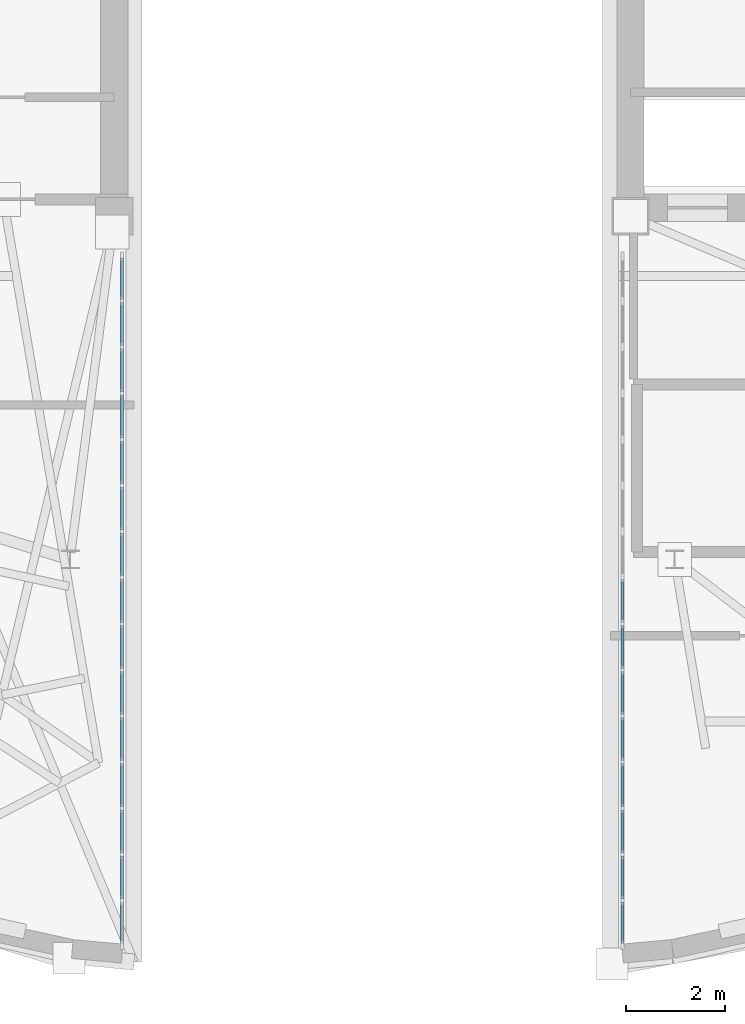
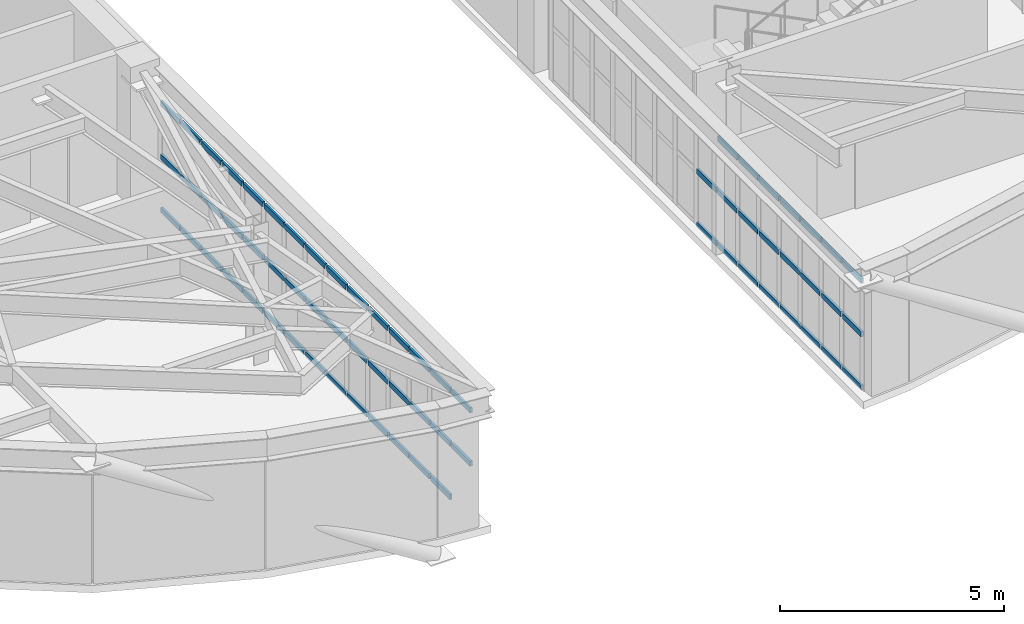
# One storey, part 6 of 13: 67 members, 2 elements without a shape of their own.
"""IFC4 building model written with IfcOpenShell, lengths in metres."""

from ifc_helpers import new_model, si_unit, direction, frame, origin, origin_2d, place, context, subcontext, project, spatial, rectangle, extrude, material, layer, layer_set, material_profile, profile_set, type_object, element, aggregate, save


model = new_model("IFC4")

# Units and contexts
model_context = context("Model", 3, precision=1e-05, world=origin(), true_north=direction((0.0, 1.0)))
body_context = subcontext(model_context, "Body", "Model", "MODEL_VIEW")
ifc_project = project(units=[si_unit("LENGTHUNIT", "METRE"), si_unit("AREAUNIT", "SQUARE_METRE"), si_unit("VOLUMEUNIT", "CUBIC_METRE"), si_unit("PLANEANGLEUNIT", "RADIAN"), si_unit("MASSUNIT", "GRAM", prefix="KILO")], contexts=[model_context])

# Site, building, storey
site_placement = place(None, origin())
site = spatial("IfcSite", under=ifc_project, at=site_placement, CompositionType="ELEMENT")
building_placement = place(site_placement, origin())
building = spatial("IfcBuilding", under=site, at=building_placement, Name="Keldmark Tower", CompositionType="ELEMENT")
storey_placement = place(building_placement, frame((0.0, 0.0, 273.0)))
storey = spatial("IfcBuildingStorey", under=building, at=storey_placement, Name="L77", CompositionType="ELEMENT", Elevation=273.0)

# Curtain wall, members
ifc_material_1 = material(Name="Unitized Thermally Broken Aluminum and Triple Low-E Glazing", Category="aluminium")
ifc_layer = layer(ifc_material_1, 0.219970703125)
ifc_layer_set = layer_set([ifc_layer], Name="Unitized Thermally Broken Aluminum and Triple Low-E Glazing")
curtain_wall_type = type_object("IfcCurtainWallType", Name="Split-Top Crown Lantern Curtain Wall System", PredefinedType="NOTDEFINED", material=ifc_layer_set)
curtain_wall_1_placement = place(storey_placement, origin())
curtain_wall_1 = element("IfcCurtainWall", 1, at=curtain_wall_1_placement, inside=storey, type_object=curtain_wall_type, Name="L77 Split-Top Crown Lantern Curtain Wall System CW-L77-ES14-1", PredefinedType="NOTDEFINED")
ifc_material_2 = material(Name="Extruded Aluminum Alloy 6063-T6", Category="aluminium")
ifc_material_profile = material_profile(ifc_material_2, rectangle(XDim=0.06005859375, YDim=0.139892578125, at=origin_2d()), Name="CWT60X140")
ifc_profile_set = profile_set([ifc_material_profile], Name="Extruded Aluminum Alloy 6063-T6")
member_type = type_object("IfcMemberType", Name="Curtain Wall Horizontal Transom 60x140", PredefinedType="USERDEFINED", material=ifc_profile_set)
member_1_placement = place(storey_placement, frame((5.0400390625, -5.910888671875, 0.030029296875), z_axis=(0.0, -1.0, 0.0), x_axis=(1.0, 0.0, 0.0)))
member_1 = element("IfcMember", 2, at=member_1_placement, type_object=member_type, Name="CW transom 8.1", ObjectType="TRANSOM", PredefinedType="USERDEFINED", context=body_context, shape_type="SweptSolid", body=[
    extrude(rectangle(XDim=0.06005859375, YDim=0.139892578125, at=origin_2d()), origin(), (0.0, 0.0, 1.0), 0.868896484375),
])
member_2_placement = place(storey_placement, frame((5.0400390625, -5.910888671875, 1.48291015625), z_axis=(0.0, -1.0, 0.0), x_axis=(1.0, 0.0, 0.0)))
member_2 = element("IfcMember", 3, at=member_2_placement, type_object=member_type, Name="CW transom 8.2", ObjectType="TRANSOM", PredefinedType="USERDEFINED", context=body_context, shape_type="SweptSolid", body=[
    extrude(rectangle(XDim=0.06005859375, YDim=0.139892578125, at=origin_2d()), origin(), (0.0, 0.0, 1.0), 0.868896484375),
])
member_3_placement = place(storey_placement, frame((5.0400390625, -6.839599609375, 0.030029296875), z_axis=(0.0, -1.0, 0.0), x_axis=(1.0, 0.0, 0.0)))
member_3 = element("IfcMember", 4, at=member_3_placement, type_object=member_type, Name="CW transom 9.1", ObjectType="TRANSOM", PredefinedType="USERDEFINED", context=body_context, shape_type="SweptSolid", body=[
    extrude(rectangle(XDim=0.06005859375, YDim=0.139892578125, at=origin_2d()), origin(), (0.0, 0.0, 1.0), 0.868896484375),
])
member_4_placement = place(storey_placement, frame((5.0400390625, -6.839599609375, 1.48291015625), z_axis=(0.0, -1.0, 0.0), x_axis=(1.0, 0.0, 0.0)))
member_4 = element("IfcMember", 5, at=member_4_placement, type_object=member_type, Name="CW transom 9.2", ObjectType="TRANSOM", PredefinedType="USERDEFINED", context=body_context, shape_type="SweptSolid", body=[
    extrude(rectangle(XDim=0.06005859375, YDim=0.139892578125, at=origin_2d()), origin(), (0.0, 0.0, 1.0), 0.868896484375),
])
member_5_placement = place(storey_placement, frame((5.0400390625, -6.839599609375, 2.93603515625), z_axis=(0.0, -1.0, 0.0), x_axis=(1.0, 0.0, 0.0)))
member_5 = element("IfcMember", 6, at=member_5_placement, type_object=member_type, Name="CW transom 9.3", ObjectType="TRANSOM", PredefinedType="USERDEFINED", context=body_context, shape_type="SweptSolid", body=[
    extrude(rectangle(XDim=0.06005859375, YDim=0.139892578125, at=origin_2d()), origin(), (0.0, 0.0, 1.0), 0.868896484375),
])
member_6_placement = place(storey_placement, frame((5.0400390625, -7.7685546875, 0.030029296875), z_axis=(0.0, -1.0, 0.0), x_axis=(1.0, 0.0, 0.0)))
member_6 = element("IfcMember", 7, at=member_6_placement, type_object=member_type, Name="CW transom 10.1", ObjectType="TRANSOM", PredefinedType="USERDEFINED", context=body_context, shape_type="SweptSolid", body=[
    extrude(rectangle(XDim=0.06005859375, YDim=0.139892578125, at=origin_2d()), origin(), (0.0, 0.0, 1.0), 0.868896484375),
])
member_7_placement = place(storey_placement, frame((5.0400390625, -7.7685546875, 1.48291015625), z_axis=(0.0, -1.0, 0.0), x_axis=(1.0, 0.0, 0.0)))
member_7 = element("IfcMember", 8, at=member_7_placement, type_object=member_type, Name="CW transom 10.2", ObjectType="TRANSOM", PredefinedType="USERDEFINED", context=body_context, shape_type="SweptSolid", body=[
    extrude(rectangle(XDim=0.06005859375, YDim=0.139892578125, at=origin_2d()), origin(), (0.0, 0.0, 1.0), 0.868896484375),
])
member_8_placement = place(storey_placement, frame((5.0400390625, -7.7685546875, 2.93603515625), z_axis=(0.0, -1.0, 0.0), x_axis=(1.0, 0.0, 0.0)))
member_8 = element("IfcMember", 9, at=member_8_placement, type_object=member_type, Name="CW transom 10.3", ObjectType="TRANSOM", PredefinedType="USERDEFINED", context=body_context, shape_type="SweptSolid", body=[
    extrude(rectangle(XDim=0.06005859375, YDim=0.139892578125, at=origin_2d()), origin(), (0.0, 0.0, 1.0), 0.868896484375),
])
member_9_placement = place(storey_placement, frame((5.0400390625, -8.697509765625, 0.030029296875), z_axis=(0.0, -1.0, 0.0), x_axis=(1.0, 0.0, 0.0)))
member_9 = element("IfcMember", 10, at=member_9_placement, type_object=member_type, Name="CW transom 11.1", ObjectType="TRANSOM", PredefinedType="USERDEFINED", context=body_context, shape_type="SweptSolid", body=[
    extrude(rectangle(XDim=0.06005859375, YDim=0.139892578125, at=origin_2d()), origin(), (0.0, 0.0, 1.0), 0.868896484375),
])
member_10_placement = place(storey_placement, frame((5.0400390625, -8.697509765625, 1.48291015625), z_axis=(0.0, -1.0, 0.0), x_axis=(1.0, 0.0, 0.0)))
member_10 = element("IfcMember", 11, at=member_10_placement, type_object=member_type, Name="CW transom 11.2", ObjectType="TRANSOM", PredefinedType="USERDEFINED", context=body_context, shape_type="SweptSolid", body=[
    extrude(rectangle(XDim=0.06005859375, YDim=0.139892578125, at=origin_2d()), origin(), (0.0, 0.0, 1.0), 0.868896484375),
])
member_11_placement = place(storey_placement, frame((5.0400390625, -8.697509765625, 2.93603515625), z_axis=(0.0, -1.0, 0.0), x_axis=(1.0, 0.0, 0.0)))
member_11 = element("IfcMember", 12, at=member_11_placement, type_object=member_type, Name="CW transom 11.3", ObjectType="TRANSOM", PredefinedType="USERDEFINED", context=body_context, shape_type="SweptSolid", body=[
    extrude(rectangle(XDim=0.06005859375, YDim=0.139892578125, at=origin_2d()), origin(), (0.0, 0.0, 1.0), 0.868896484375),
])
member_12_placement = place(storey_placement, frame((5.0400390625, -9.62646484375, 0.030029296875), z_axis=(0.0, -1.0, 0.0), x_axis=(1.0, 0.0, 0.0)))
member_12 = element("IfcMember", 13, at=member_12_placement, type_object=member_type, Name="CW transom 12.1", ObjectType="TRANSOM", PredefinedType="USERDEFINED", context=body_context, shape_type="SweptSolid", body=[
    extrude(rectangle(XDim=0.06005859375, YDim=0.139892578125, at=origin_2d()), origin(), (0.0, 0.0, 1.0), 0.868896484375),
])
member_13_placement = place(storey_placement, frame((5.0400390625, -9.62646484375, 1.48291015625), z_axis=(0.0, -1.0, 0.0), x_axis=(1.0, 0.0, 0.0)))
member_13 = element("IfcMember", 14, at=member_13_placement, type_object=member_type, Name="CW transom 12.2", ObjectType="TRANSOM", PredefinedType="USERDEFINED", context=body_context, shape_type="SweptSolid", body=[
    extrude(rectangle(XDim=0.06005859375, YDim=0.139892578125, at=origin_2d()), origin(), (0.0, 0.0, 1.0), 0.868896484375),
])
member_14_placement = place(storey_placement, frame((5.0400390625, -9.62646484375, 2.93603515625), z_axis=(0.0, -1.0, 0.0), x_axis=(1.0, 0.0, 0.0)))
member_14 = element("IfcMember", 15, at=member_14_placement, type_object=member_type, Name="CW transom 12.3", ObjectType="TRANSOM", PredefinedType="USERDEFINED", context=body_context, shape_type="SweptSolid", body=[
    extrude(rectangle(XDim=0.06005859375, YDim=0.139892578125, at=origin_2d()), origin(), (0.0, 0.0, 1.0), 0.868896484375),
])
member_15_placement = place(storey_placement, frame((5.0400390625, -10.555419921875, 0.030029296875), z_axis=(0.0, -1.0, 0.0), x_axis=(1.0, 0.0, 0.0)))
member_15 = element("IfcMember", 16, at=member_15_placement, type_object=member_type, Name="CW transom 13.1", ObjectType="TRANSOM", PredefinedType="USERDEFINED", context=body_context, shape_type="SweptSolid", body=[
    extrude(rectangle(XDim=0.06005859375, YDim=0.139892578125, at=origin_2d()), origin(), (0.0, 0.0, 1.0), 0.868896484375),
])
member_16_placement = place(storey_placement, frame((5.0400390625, -10.555419921875, 1.48291015625), z_axis=(0.0, -1.0, 0.0), x_axis=(1.0, 0.0, 0.0)))
member_16 = element("IfcMember", 17, at=member_16_placement, type_object=member_type, Name="CW transom 13.2", ObjectType="TRANSOM", PredefinedType="USERDEFINED", context=body_context, shape_type="SweptSolid", body=[
    extrude(rectangle(XDim=0.06005859375, YDim=0.139892578125, at=origin_2d()), origin(), (0.0, 0.0, 1.0), 0.868896484375),
])
member_17_placement = place(storey_placement, frame((5.0400390625, -10.555419921875, 2.93603515625), z_axis=(0.0, -1.0, 0.0), x_axis=(1.0, 0.0, 0.0)))
member_17 = element("IfcMember", 18, at=member_17_placement, type_object=member_type, Name="CW transom 13.3", ObjectType="TRANSOM", PredefinedType="USERDEFINED", context=body_context, shape_type="SweptSolid", body=[
    extrude(rectangle(XDim=0.06005859375, YDim=0.139892578125, at=origin_2d()), origin(), (0.0, 0.0, 1.0), 0.868896484375),
])
member_18_placement = place(storey_placement, frame((5.0400390625, -11.484130859375, 0.030029296875), z_axis=(0.0, -1.0, 0.0), x_axis=(1.0, 0.0, 0.0)))
member_18 = element("IfcMember", 19, at=member_18_placement, type_object=member_type, Name="CW transom 14.1", ObjectType="TRANSOM", PredefinedType="USERDEFINED", context=body_context, shape_type="SweptSolid", body=[
    extrude(rectangle(XDim=0.06005859375, YDim=0.139892578125, at=origin_2d()), origin(), (0.0, 0.0, 1.0), 0.868896484375),
])
member_19_placement = place(storey_placement, frame((5.0400390625, -11.484130859375, 1.48291015625), z_axis=(0.0, -1.0, 0.0), x_axis=(1.0, 0.0, 0.0)))
member_19 = element("IfcMember", 20, at=member_19_placement, type_object=member_type, Name="CW transom 14.2", ObjectType="TRANSOM", PredefinedType="USERDEFINED", context=body_context, shape_type="SweptSolid", body=[
    extrude(rectangle(XDim=0.06005859375, YDim=0.139892578125, at=origin_2d()), origin(), (0.0, 0.0, 1.0), 0.868896484375),
])
member_20_placement = place(storey_placement, frame((5.0400390625, -11.484130859375, 2.93603515625), z_axis=(0.0, -1.0, 0.0), x_axis=(1.0, 0.0, 0.0)))
member_20 = element("IfcMember", 21, at=member_20_placement, type_object=member_type, Name="CW transom 14.3", ObjectType="TRANSOM", PredefinedType="USERDEFINED", context=body_context, shape_type="SweptSolid", body=[
    extrude(rectangle(XDim=0.06005859375, YDim=0.139892578125, at=origin_2d()), origin(), (0.0, 0.0, 1.0), 0.868896484375),
])
member_21_placement = place(storey_placement, frame((5.0400390625, -12.4130859375, 0.030029296875), z_axis=(0.0, -1.0, 0.0), x_axis=(1.0, 0.0, 0.0)))
member_21 = element("IfcMember", 22, at=member_21_placement, type_object=member_type, Name="CW transom 15.1", ObjectType="TRANSOM", PredefinedType="USERDEFINED", context=body_context, shape_type="SweptSolid", body=[
    extrude(rectangle(XDim=0.06005859375, YDim=0.139892578125, at=origin_2d()), origin(), (0.0, 0.0, 1.0), 0.8388671875),
])
member_22_placement = place(storey_placement, frame((5.0400390625, -12.4130859375, 1.48291015625), z_axis=(0.0, -1.0, 0.0), x_axis=(1.0, 0.0, 0.0)))
member_22 = element("IfcMember", 23, at=member_22_placement, type_object=member_type, Name="CW transom 15.2", ObjectType="TRANSOM", PredefinedType="USERDEFINED", context=body_context, shape_type="SweptSolid", body=[
    extrude(rectangle(XDim=0.06005859375, YDim=0.139892578125, at=origin_2d()), origin(), (0.0, 0.0, 1.0), 0.8388671875),
])
member_23_placement = place(storey_placement, frame((5.0400390625, -12.4130859375, 2.93603515625), z_axis=(0.0, -1.0, 0.0), x_axis=(1.0, 0.0, 0.0)))
member_23 = element("IfcMember", 24, at=member_23_placement, type_object=member_type, Name="CW transom 15.3", ObjectType="TRANSOM", PredefinedType="USERDEFINED", context=body_context, shape_type="SweptSolid", body=[
    extrude(rectangle(XDim=0.06005859375, YDim=0.139892578125, at=origin_2d()), origin(), (0.0, 0.0, 1.0), 0.8388671875),
])
aggregate(curtain_wall_1, [member_1, member_2, member_3, member_4, member_5, member_6, member_7, member_8, member_9, member_10, member_11, member_12, member_13, member_14, member_15, member_16, member_17, member_18, member_19, member_20, member_21, member_22, member_23])

curtain_wall_2_placement = place(storey_placement, origin())
curtain_wall_2 = element("IfcCurtainWall", 25, at=curtain_wall_2_placement, inside=storey, type_object=curtain_wall_type, Name="L77 Split-Top Crown Lantern Curtain Wall System CW-L77-WS14-0", PredefinedType="NOTDEFINED")
member_24_placement = place(storey_placement, frame((-5.0400390625, -13.251953125, 1.48291015625), z_axis=(0.0, 1.0, 0.0), x_axis=(-1.0, 0.0, 0.0)))
member_24 = element("IfcMember", 26, at=member_24_placement, type_object=member_type, Name="CW transom 1.2", ObjectType="TRANSOM", PredefinedType="USERDEFINED", context=body_context, shape_type="SweptSolid", body=[
    extrude(rectangle(XDim=0.06005859375, YDim=0.139892578125, at=origin_2d()), origin(), (0.0, 0.0, 1.0), 0.8388671875),
])
member_25_placement = place(storey_placement, frame((-5.0400390625, -13.251953125, 2.93603515625), z_axis=(0.0, 1.0, 0.0), x_axis=(-1.0, 0.0, 0.0)))
member_25 = element("IfcMember", 27, at=member_25_placement, type_object=member_type, Name="CW transom 1.3", ObjectType="TRANSOM", PredefinedType="USERDEFINED", context=body_context, shape_type="SweptSolid", body=[
    extrude(rectangle(XDim=0.06005859375, YDim=0.139892578125, at=origin_2d()), origin(), (0.0, 0.0, 1.0), 0.8388671875),
])
member_26_placement = place(storey_placement, frame((-5.0400390625, -12.35302734375, 0.030029296875), z_axis=(0.0, 1.0, 0.0), x_axis=(-1.0, 0.0, 0.0)))
member_26 = element("IfcMember", 28, at=member_26_placement, type_object=member_type, Name="CW transom 2.1", ObjectType="TRANSOM", PredefinedType="USERDEFINED", context=body_context, shape_type="SweptSolid", body=[
    extrude(rectangle(XDim=0.06005859375, YDim=0.139892578125, at=origin_2d()), origin(), (0.0, 0.0, 1.0), 0.868896484375),
])
member_27_placement = place(storey_placement, frame((-5.0400390625, -12.35302734375, 1.48291015625), z_axis=(0.0, 1.0, 0.0), x_axis=(-1.0, 0.0, 0.0)))
member_27 = element("IfcMember", 29, at=member_27_placement, type_object=member_type, Name="CW transom 2.2", ObjectType="TRANSOM", PredefinedType="USERDEFINED", context=body_context, shape_type="SweptSolid", body=[
    extrude(rectangle(XDim=0.06005859375, YDim=0.139892578125, at=origin_2d()), origin(), (0.0, 0.0, 1.0), 0.868896484375),
])
member_28_placement = place(storey_placement, frame((-5.0400390625, -12.35302734375, 2.93603515625), z_axis=(0.0, 1.0, 0.0), x_axis=(-1.0, 0.0, 0.0)))
member_28 = element("IfcMember", 30, at=member_28_placement, type_object=member_type, Name="CW transom 2.3", ObjectType="TRANSOM", PredefinedType="USERDEFINED", context=body_context, shape_type="SweptSolid", body=[
    extrude(rectangle(XDim=0.06005859375, YDim=0.139892578125, at=origin_2d()), origin(), (0.0, 0.0, 1.0), 0.868896484375),
])
member_29_placement = place(storey_placement, frame((-5.0400390625, -11.42431640625, 0.030029296875), z_axis=(0.0, 1.0, 0.0), x_axis=(-1.0, 0.0, 0.0)))
member_29 = element("IfcMember", 31, at=member_29_placement, type_object=member_type, Name="CW transom 3.1", ObjectType="TRANSOM", PredefinedType="USERDEFINED", context=body_context, shape_type="SweptSolid", body=[
    extrude(rectangle(XDim=0.06005859375, YDim=0.139892578125, at=origin_2d()), origin(), (0.0, 0.0, 1.0), 0.868896484375),
])
member_30_placement = place(storey_placement, frame((-5.0400390625, -11.42431640625, 1.48291015625), z_axis=(0.0, 1.0, 0.0), x_axis=(-1.0, 0.0, 0.0)))
member_30 = element("IfcMember", 32, at=member_30_placement, type_object=member_type, Name="CW transom 3.2", ObjectType="TRANSOM", PredefinedType="USERDEFINED", context=body_context, shape_type="SweptSolid", body=[
    extrude(rectangle(XDim=0.06005859375, YDim=0.139892578125, at=origin_2d()), origin(), (0.0, 0.0, 1.0), 0.868896484375),
])
member_31_placement = place(storey_placement, frame((-5.0400390625, -11.42431640625, 2.93603515625), z_axis=(0.0, 1.0, 0.0), x_axis=(-1.0, 0.0, 0.0)))
member_31 = element("IfcMember", 33, at=member_31_placement, type_object=member_type, Name="CW transom 3.3", ObjectType="TRANSOM", PredefinedType="USERDEFINED", context=body_context, shape_type="SweptSolid", body=[
    extrude(rectangle(XDim=0.06005859375, YDim=0.139892578125, at=origin_2d()), origin(), (0.0, 0.0, 1.0), 0.868896484375),
])
member_32_placement = place(storey_placement, frame((-5.0400390625, -10.495361328125, 0.030029296875), z_axis=(0.0, 1.0, 0.0), x_axis=(-1.0, 0.0, 0.0)))
member_32 = element("IfcMember", 34, at=member_32_placement, type_object=member_type, Name="CW transom 4.1", ObjectType="TRANSOM", PredefinedType="USERDEFINED", context=body_context, shape_type="SweptSolid", body=[
    extrude(rectangle(XDim=0.06005859375, YDim=0.139892578125, at=origin_2d()), origin(), (0.0, 0.0, 1.0), 0.868896484375),
])
member_33_placement = place(storey_placement, frame((-5.0400390625, -10.495361328125, 1.48291015625), z_axis=(0.0, 1.0, 0.0), x_axis=(-1.0, 0.0, 0.0)))
member_33 = element("IfcMember", 35, at=member_33_placement, type_object=member_type, Name="CW transom 4.2", ObjectType="TRANSOM", PredefinedType="USERDEFINED", context=body_context, shape_type="SweptSolid", body=[
    extrude(rectangle(XDim=0.06005859375, YDim=0.139892578125, at=origin_2d()), origin(), (0.0, 0.0, 1.0), 0.868896484375),
])
member_34_placement = place(storey_placement, frame((-5.0400390625, -10.495361328125, 2.93603515625), z_axis=(0.0, 1.0, 0.0), x_axis=(-1.0, 0.0, 0.0)))
member_34 = element("IfcMember", 36, at=member_34_placement, type_object=member_type, Name="CW transom 4.3", ObjectType="TRANSOM", PredefinedType="USERDEFINED", context=body_context, shape_type="SweptSolid", body=[
    extrude(rectangle(XDim=0.06005859375, YDim=0.139892578125, at=origin_2d()), origin(), (0.0, 0.0, 1.0), 0.868896484375),
])
member_35_placement = place(storey_placement, frame((-5.0400390625, -9.56640625, 0.030029296875), z_axis=(0.0, 1.0, 0.0), x_axis=(-1.0, 0.0, 0.0)))
member_35 = element("IfcMember", 37, at=member_35_placement, type_object=member_type, Name="CW transom 5.1", ObjectType="TRANSOM", PredefinedType="USERDEFINED", context=body_context, shape_type="SweptSolid", body=[
    extrude(rectangle(XDim=0.06005859375, YDim=0.139892578125, at=origin_2d()), origin(), (0.0, 0.0, 1.0), 0.868896484375),
])
member_36_placement = place(storey_placement, frame((-5.0400390625, -9.56640625, 1.48291015625), z_axis=(0.0, 1.0, 0.0), x_axis=(-1.0, 0.0, 0.0)))
member_36 = element("IfcMember", 38, at=member_36_placement, type_object=member_type, Name="CW transom 5.2", ObjectType="TRANSOM", PredefinedType="USERDEFINED", context=body_context, shape_type="SweptSolid", body=[
    extrude(rectangle(XDim=0.06005859375, YDim=0.139892578125, at=origin_2d()), origin(), (0.0, 0.0, 1.0), 0.868896484375),
])
member_37_placement = place(storey_placement, frame((-5.0400390625, -9.56640625, 2.93603515625), z_axis=(0.0, 1.0, 0.0), x_axis=(-1.0, 0.0, 0.0)))
member_37 = element("IfcMember", 39, at=member_37_placement, type_object=member_type, Name="CW transom 5.3", ObjectType="TRANSOM", PredefinedType="USERDEFINED", context=body_context, shape_type="SweptSolid", body=[
    extrude(rectangle(XDim=0.06005859375, YDim=0.139892578125, at=origin_2d()), origin(), (0.0, 0.0, 1.0), 0.868896484375),
])
member_38_placement = place(storey_placement, frame((-5.0400390625, -8.637451171875, 0.030029296875), z_axis=(0.0, 1.0, 0.0), x_axis=(-1.0, 0.0, 0.0)))
member_38 = element("IfcMember", 40, at=member_38_placement, type_object=member_type, Name="CW transom 6.1", ObjectType="TRANSOM", PredefinedType="USERDEFINED", context=body_context, shape_type="SweptSolid", body=[
    extrude(rectangle(XDim=0.06005859375, YDim=0.139892578125, at=origin_2d()), origin(), (0.0, 0.0, 1.0), 0.868896484375),
])
member_39_placement = place(storey_placement, frame((-5.0400390625, -8.637451171875, 1.48291015625), z_axis=(0.0, 1.0, 0.0), x_axis=(-1.0, 0.0, 0.0)))
member_39 = element("IfcMember", 41, at=member_39_placement, type_object=member_type, Name="CW transom 6.2", ObjectType="TRANSOM", PredefinedType="USERDEFINED", context=body_context, shape_type="SweptSolid", body=[
    extrude(rectangle(XDim=0.06005859375, YDim=0.139892578125, at=origin_2d()), origin(), (0.0, 0.0, 1.0), 0.868896484375),
])
member_40_placement = place(storey_placement, frame((-5.0400390625, -8.637451171875, 2.93603515625), z_axis=(0.0, 1.0, 0.0), x_axis=(-1.0, 0.0, 0.0)))
member_40 = element("IfcMember", 42, at=member_40_placement, type_object=member_type, Name="CW transom 6.3", ObjectType="TRANSOM", PredefinedType="USERDEFINED", context=body_context, shape_type="SweptSolid", body=[
    extrude(rectangle(XDim=0.06005859375, YDim=0.139892578125, at=origin_2d()), origin(), (0.0, 0.0, 1.0), 0.868896484375),
])
member_41_placement = place(storey_placement, frame((-5.0400390625, -7.70849609375, 0.030029296875), z_axis=(0.0, 1.0, 0.0), x_axis=(-1.0, 0.0, 0.0)))
member_41 = element("IfcMember", 43, at=member_41_placement, type_object=member_type, Name="CW transom 7.1", ObjectType="TRANSOM", PredefinedType="USERDEFINED", context=body_context, shape_type="SweptSolid", body=[
    extrude(rectangle(XDim=0.06005859375, YDim=0.139892578125, at=origin_2d()), origin(), (0.0, 0.0, 1.0), 0.868896484375),
])
member_42_placement = place(storey_placement, frame((-5.0400390625, -7.70849609375, 1.48291015625), z_axis=(0.0, 1.0, 0.0), x_axis=(-1.0, 0.0, 0.0)))
member_42 = element("IfcMember", 44, at=member_42_placement, type_object=member_type, Name="CW transom 7.2", ObjectType="TRANSOM", PredefinedType="USERDEFINED", context=body_context, shape_type="SweptSolid", body=[
    extrude(rectangle(XDim=0.06005859375, YDim=0.139892578125, at=origin_2d()), origin(), (0.0, 0.0, 1.0), 0.868896484375),
])
member_43_placement = place(storey_placement, frame((-5.0400390625, -7.70849609375, 2.93603515625), z_axis=(0.0, 1.0, 0.0), x_axis=(-1.0, 0.0, 0.0)))
member_43 = element("IfcMember", 45, at=member_43_placement, type_object=member_type, Name="CW transom 7.3", ObjectType="TRANSOM", PredefinedType="USERDEFINED", context=body_context, shape_type="SweptSolid", body=[
    extrude(rectangle(XDim=0.06005859375, YDim=0.139892578125, at=origin_2d()), origin(), (0.0, 0.0, 1.0), 0.868896484375),
])
member_44_placement = place(storey_placement, frame((-5.0400390625, -6.77978515625, 0.030029296875), z_axis=(0.0, 1.0, 0.0), x_axis=(-1.0, 0.0, 0.0)))
member_44 = element("IfcMember", 46, at=member_44_placement, type_object=member_type, Name="CW transom 8.1", ObjectType="TRANSOM", PredefinedType="USERDEFINED", context=body_context, shape_type="SweptSolid", body=[
    extrude(rectangle(XDim=0.06005859375, YDim=0.139892578125, at=origin_2d()), origin(), (0.0, 0.0, 1.0), 0.868896484375),
])
member_45_placement = place(storey_placement, frame((-5.0400390625, -6.77978515625, 1.48291015625), z_axis=(0.0, 1.0, 0.0), x_axis=(-1.0, 0.0, 0.0)))
member_45 = element("IfcMember", 47, at=member_45_placement, type_object=member_type, Name="CW transom 8.2", ObjectType="TRANSOM", PredefinedType="USERDEFINED", context=body_context, shape_type="SweptSolid", body=[
    extrude(rectangle(XDim=0.06005859375, YDim=0.139892578125, at=origin_2d()), origin(), (0.0, 0.0, 1.0), 0.868896484375),
])
member_46_placement = place(storey_placement, frame((-5.0400390625, -6.77978515625, 2.93603515625), z_axis=(0.0, 1.0, 0.0), x_axis=(-1.0, 0.0, 0.0)))
member_46 = element("IfcMember", 48, at=member_46_placement, type_object=member_type, Name="CW transom 8.3", ObjectType="TRANSOM", PredefinedType="USERDEFINED", context=body_context, shape_type="SweptSolid", body=[
    extrude(rectangle(XDim=0.06005859375, YDim=0.139892578125, at=origin_2d()), origin(), (0.0, 0.0, 1.0), 0.868896484375),
])
member_47_placement = place(storey_placement, frame((-5.0400390625, -5.850830078125, 0.030029296875), z_axis=(0.0, 1.0, 0.0), x_axis=(-1.0, 0.0, 0.0)))
member_47 = element("IfcMember", 49, at=member_47_placement, type_object=member_type, Name="CW transom 9.1", ObjectType="TRANSOM", PredefinedType="USERDEFINED", context=body_context, shape_type="SweptSolid", body=[
    extrude(rectangle(XDim=0.06005859375, YDim=0.139892578125, at=origin_2d()), origin(), (0.0, 0.0, 1.0), 0.868896484375),
])
member_48_placement = place(storey_placement, frame((-5.0400390625, -5.850830078125, 1.48291015625), z_axis=(0.0, 1.0, 0.0), x_axis=(-1.0, 0.0, 0.0)))
member_48 = element("IfcMember", 50, at=member_48_placement, type_object=member_type, Name="CW transom 9.2", ObjectType="TRANSOM", PredefinedType="USERDEFINED", context=body_context, shape_type="SweptSolid", body=[
    extrude(rectangle(XDim=0.06005859375, YDim=0.139892578125, at=origin_2d()), origin(), (0.0, 0.0, 1.0), 0.868896484375),
])
member_49_placement = place(storey_placement, frame((-5.0400390625, -5.850830078125, 2.93603515625), z_axis=(0.0, 1.0, 0.0), x_axis=(-1.0, 0.0, 0.0)))
member_49 = element("IfcMember", 51, at=member_49_placement, type_object=member_type, Name="CW transom 9.3", ObjectType="TRANSOM", PredefinedType="USERDEFINED", context=body_context, shape_type="SweptSolid", body=[
    extrude(rectangle(XDim=0.06005859375, YDim=0.139892578125, at=origin_2d()), origin(), (0.0, 0.0, 1.0), 0.868896484375),
])
member_50_placement = place(storey_placement, frame((-5.0400390625, -4.921875, 0.030029296875), z_axis=(0.0, 1.0, 0.0), x_axis=(-1.0, 0.0, 0.0)))
member_50 = element("IfcMember", 52, at=member_50_placement, type_object=member_type, Name="CW transom 10.1", ObjectType="TRANSOM", PredefinedType="USERDEFINED", context=body_context, shape_type="SweptSolid", body=[
    extrude(rectangle(XDim=0.06005859375, YDim=0.139892578125, at=origin_2d()), origin(), (0.0, 0.0, 1.0), 0.868896484375),
])
member_51_placement = place(storey_placement, frame((-5.0400390625, -4.921875, 1.48291015625), z_axis=(0.0, 1.0, 0.0), x_axis=(-1.0, 0.0, 0.0)))
member_51 = element("IfcMember", 53, at=member_51_placement, type_object=member_type, Name="CW transom 10.2", ObjectType="TRANSOM", PredefinedType="USERDEFINED", context=body_context, shape_type="SweptSolid", body=[
    extrude(rectangle(XDim=0.06005859375, YDim=0.139892578125, at=origin_2d()), origin(), (0.0, 0.0, 1.0), 0.868896484375),
])
member_52_placement = place(storey_placement, frame((-5.0400390625, -4.921875, 2.93603515625), z_axis=(0.0, 1.0, 0.0), x_axis=(-1.0, 0.0, 0.0)))
member_52 = element("IfcMember", 54, at=member_52_placement, type_object=member_type, Name="CW transom 10.3", ObjectType="TRANSOM", PredefinedType="USERDEFINED", context=body_context, shape_type="SweptSolid", body=[
    extrude(rectangle(XDim=0.06005859375, YDim=0.139892578125, at=origin_2d()), origin(), (0.0, 0.0, 1.0), 0.868896484375),
])
member_53_placement = place(storey_placement, frame((-5.0400390625, -3.992919921875, 0.030029296875), z_axis=(0.0, 1.0, 0.0), x_axis=(-1.0, 0.0, 0.0)))
member_53 = element("IfcMember", 55, at=member_53_placement, type_object=member_type, Name="CW transom 11.1", ObjectType="TRANSOM", PredefinedType="USERDEFINED", context=body_context, shape_type="SweptSolid", body=[
    extrude(rectangle(XDim=0.06005859375, YDim=0.139892578125, at=origin_2d()), origin(), (0.0, 0.0, 1.0), 0.868896484375),
])
member_54_placement = place(storey_placement, frame((-5.0400390625, -3.992919921875, 1.48291015625), z_axis=(0.0, 1.0, 0.0), x_axis=(-1.0, 0.0, 0.0)))
member_54 = element("IfcMember", 56, at=member_54_placement, type_object=member_type, Name="CW transom 11.2", ObjectType="TRANSOM", PredefinedType="USERDEFINED", context=body_context, shape_type="SweptSolid", body=[
    extrude(rectangle(XDim=0.06005859375, YDim=0.139892578125, at=origin_2d()), origin(), (0.0, 0.0, 1.0), 0.868896484375),
])
member_55_placement = place(storey_placement, frame((-5.0400390625, -3.992919921875, 2.93603515625), z_axis=(0.0, 1.0, 0.0), x_axis=(-1.0, 0.0, 0.0)))
member_55 = element("IfcMember", 57, at=member_55_placement, type_object=member_type, Name="CW transom 11.3", ObjectType="TRANSOM", PredefinedType="USERDEFINED", context=body_context, shape_type="SweptSolid", body=[
    extrude(rectangle(XDim=0.06005859375, YDim=0.139892578125, at=origin_2d()), origin(), (0.0, 0.0, 1.0), 0.868896484375),
])
member_56_placement = place(storey_placement, frame((-5.0400390625, -3.064208984375, 0.030029296875), z_axis=(0.0, 1.0, 0.0), x_axis=(-1.0, 0.0, 0.0)))
member_56 = element("IfcMember", 58, at=member_56_placement, type_object=member_type, Name="CW transom 12.1", ObjectType="TRANSOM", PredefinedType="USERDEFINED", context=body_context, shape_type="SweptSolid", body=[
    extrude(rectangle(XDim=0.06005859375, YDim=0.139892578125, at=origin_2d()), origin(), (0.0, 0.0, 1.0), 0.868896484375),
])
member_57_placement = place(storey_placement, frame((-5.0400390625, -3.064208984375, 1.48291015625), z_axis=(0.0, 1.0, 0.0), x_axis=(-1.0, 0.0, 0.0)))
member_57 = element("IfcMember", 59, at=member_57_placement, type_object=member_type, Name="CW transom 12.2", ObjectType="TRANSOM", PredefinedType="USERDEFINED", context=body_context, shape_type="SweptSolid", body=[
    extrude(rectangle(XDim=0.06005859375, YDim=0.139892578125, at=origin_2d()), origin(), (0.0, 0.0, 1.0), 0.868896484375),
])
member_58_placement = place(storey_placement, frame((-5.0400390625, -3.064208984375, 2.93603515625), z_axis=(0.0, 1.0, 0.0), x_axis=(-1.0, 0.0, 0.0)))
member_58 = element("IfcMember", 60, at=member_58_placement, type_object=member_type, Name="CW transom 12.3", ObjectType="TRANSOM", PredefinedType="USERDEFINED", context=body_context, shape_type="SweptSolid", body=[
    extrude(rectangle(XDim=0.06005859375, YDim=0.139892578125, at=origin_2d()), origin(), (0.0, 0.0, 1.0), 0.868896484375),
])
member_59_placement = place(storey_placement, frame((-5.0400390625, -2.13525390625, 0.030029296875), z_axis=(0.0, 1.0, 0.0), x_axis=(-1.0, 0.0, 0.0)))
member_59 = element("IfcMember", 61, at=member_59_placement, type_object=member_type, Name="CW transom 13.1", ObjectType="TRANSOM", PredefinedType="USERDEFINED", context=body_context, shape_type="SweptSolid", body=[
    extrude(rectangle(XDim=0.06005859375, YDim=0.139892578125, at=origin_2d()), origin(), (0.0, 0.0, 1.0), 0.868896484375),
])
member_60_placement = place(storey_placement, frame((-5.0400390625, -2.13525390625, 1.48291015625), z_axis=(0.0, 1.0, 0.0), x_axis=(-1.0, 0.0, 0.0)))
member_60 = element("IfcMember", 62, at=member_60_placement, type_object=member_type, Name="CW transom 13.2", ObjectType="TRANSOM", PredefinedType="USERDEFINED", context=body_context, shape_type="SweptSolid", body=[
    extrude(rectangle(XDim=0.06005859375, YDim=0.139892578125, at=origin_2d()), origin(), (0.0, 0.0, 1.0), 0.868896484375),
])
member_61_placement = place(storey_placement, frame((-5.0400390625, -2.13525390625, 2.93603515625), z_axis=(0.0, 1.0, 0.0), x_axis=(-1.0, 0.0, 0.0)))
member_61 = element("IfcMember", 63, at=member_61_placement, type_object=member_type, Name="CW transom 13.3", ObjectType="TRANSOM", PredefinedType="USERDEFINED", context=body_context, shape_type="SweptSolid", body=[
    extrude(rectangle(XDim=0.06005859375, YDim=0.139892578125, at=origin_2d()), origin(), (0.0, 0.0, 1.0), 0.868896484375),
])
member_62_placement = place(storey_placement, frame((-5.0400390625, -1.206298828125, 0.030029296875), z_axis=(0.0, 1.0, 0.0), x_axis=(-1.0, 0.0, 0.0)))
member_62 = element("IfcMember", 64, at=member_62_placement, type_object=member_type, Name="CW transom 14.1", ObjectType="TRANSOM", PredefinedType="USERDEFINED", context=body_context, shape_type="SweptSolid", body=[
    extrude(rectangle(XDim=0.06005859375, YDim=0.139892578125, at=origin_2d()), origin(), (0.0, 0.0, 1.0), 0.868896484375),
])
member_63_placement = place(storey_placement, frame((-5.0400390625, -1.206298828125, 1.48291015625), z_axis=(0.0, 1.0, 0.0), x_axis=(-1.0, 0.0, 0.0)))
member_63 = element("IfcMember", 65, at=member_63_placement, type_object=member_type, Name="CW transom 14.2", ObjectType="TRANSOM", PredefinedType="USERDEFINED", context=body_context, shape_type="SweptSolid", body=[
    extrude(rectangle(XDim=0.06005859375, YDim=0.139892578125, at=origin_2d()), origin(), (0.0, 0.0, 1.0), 0.868896484375),
])
member_64_placement = place(storey_placement, frame((-5.0400390625, -1.206298828125, 2.93603515625), z_axis=(0.0, 1.0, 0.0), x_axis=(-1.0, 0.0, 0.0)))
member_64 = element("IfcMember", 66, at=member_64_placement, type_object=member_type, Name="CW transom 14.3", ObjectType="TRANSOM", PredefinedType="USERDEFINED", context=body_context, shape_type="SweptSolid", body=[
    extrude(rectangle(XDim=0.06005859375, YDim=0.139892578125, at=origin_2d()), origin(), (0.0, 0.0, 1.0), 0.868896484375),
])
member_65_placement = place(storey_placement, frame((-5.0400390625, -0.27734375, 0.030029296875), z_axis=(0.0, 1.0, 0.0), x_axis=(-1.0, 0.0, 0.0)))
member_65 = element("IfcMember", 67, at=member_65_placement, type_object=member_type, Name="CW transom 15.1", ObjectType="TRANSOM", PredefinedType="USERDEFINED", context=body_context, shape_type="SweptSolid", body=[
    extrude(rectangle(XDim=0.06005859375, YDim=0.139892578125, at=origin_2d()), origin(), (0.0, 0.0, 1.0), 0.8388671875),
])
member_66_placement = place(storey_placement, frame((-5.0400390625, -0.27734375, 1.48291015625), z_axis=(0.0, 1.0, 0.0), x_axis=(-1.0, 0.0, 0.0)))
member_66 = element("IfcMember", 68, at=member_66_placement, type_object=member_type, Name="CW transom 15.2", ObjectType="TRANSOM", PredefinedType="USERDEFINED", context=body_context, shape_type="SweptSolid", body=[
    extrude(rectangle(XDim=0.06005859375, YDim=0.139892578125, at=origin_2d()), origin(), (0.0, 0.0, 1.0), 0.8388671875),
])
member_67_placement = place(storey_placement, frame((-5.0400390625, -0.27734375, 2.93603515625), z_axis=(0.0, 1.0, 0.0), x_axis=(-1.0, 0.0, 0.0)))
member_67 = element("IfcMember", 69, at=member_67_placement, type_object=member_type, Name="CW transom 15.3", ObjectType="TRANSOM", PredefinedType="USERDEFINED", context=body_context, shape_type="SweptSolid", body=[
    extrude(rectangle(XDim=0.06005859375, YDim=0.139892578125, at=origin_2d()), origin(), (0.0, 0.0, 1.0), 0.8388671875),
])
aggregate(curtain_wall_2, [member_24, member_25, member_26, member_27, member_28, member_29, member_30, member_31, member_32, member_33, member_34, member_35, member_36, member_37, member_38, member_39, member_40, member_41, member_42, member_43, member_44, member_45, member_46, member_47, member_48, member_49, member_50, member_51, member_52, member_53, member_54, member_55, member_56, member_57, member_58, member_59, member_60, member_61, member_62, member_63, member_64, member_65, member_66, member_67])

save(model, "model.ifc")
